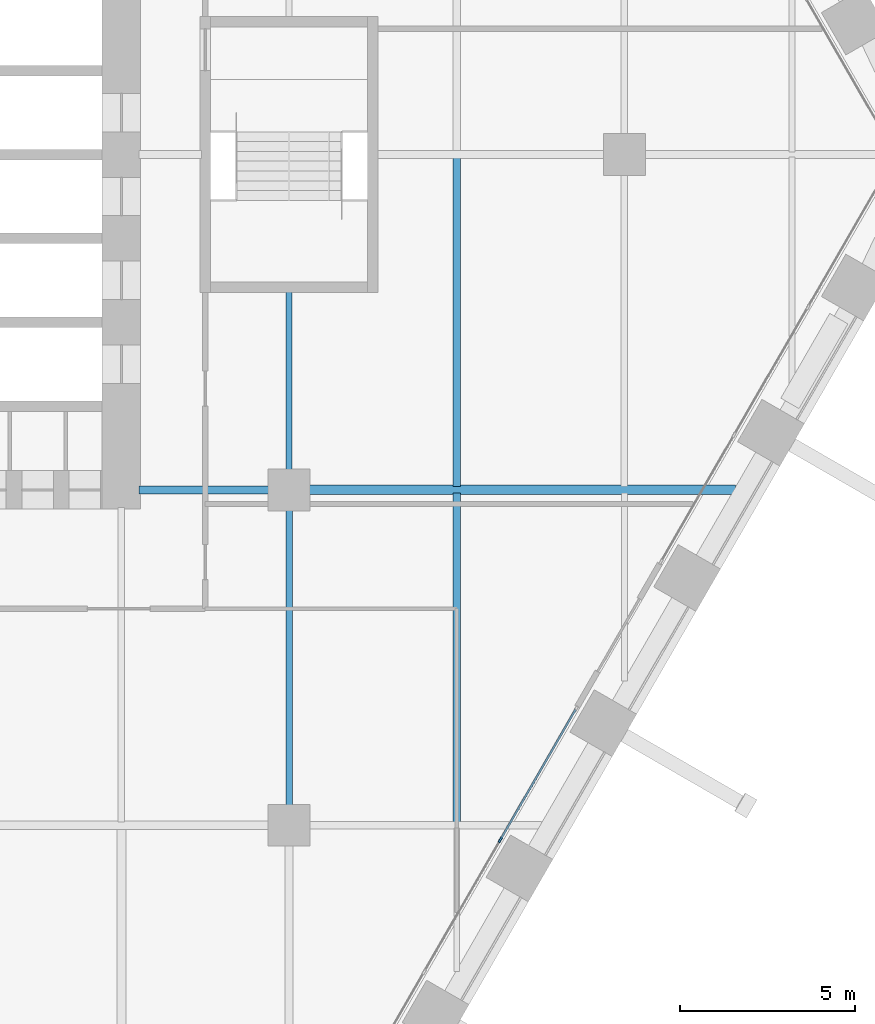
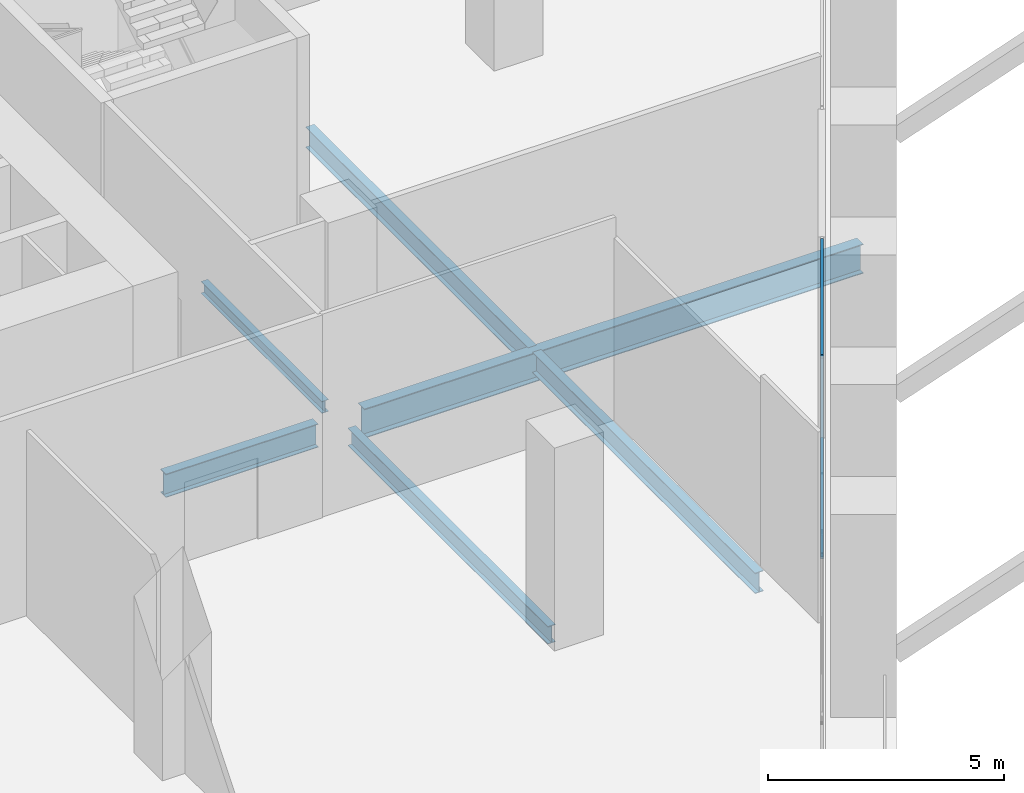
# One storey, part 7 of 29: 6 beams, 3 members, 1 element without a shape of its own.
"""IFC4 building model written with IfcOpenShell, lengths in metres."""

from ifc_helpers import new_model, si_unit, direction, frame, origin, origin_2d, place, context, subcontext, project, spatial, rectangle, i_section, extrude, material, material_profile, profile_set, type_object, element, aggregate, save


model = new_model("IFC4")

# Units and contexts
model_context = context("Model", 3, precision=1e-05, world=origin(), true_north=direction((0.0, 1.0)))
body_context = subcontext(model_context, "Body", "Model", "MODEL_VIEW")
ifc_project = project(units=[si_unit("LENGTHUNIT", "METRE"), si_unit("AREAUNIT", "SQUARE_METRE"), si_unit("VOLUMEUNIT", "CUBIC_METRE"), si_unit("PLANEANGLEUNIT", "RADIAN"), si_unit("MASSUNIT", "GRAM", prefix="KILO")], contexts=[model_context])

# Site, building, storey
site_placement = place(None, origin())
site = spatial("IfcSite", under=ifc_project, at=site_placement, CompositionType="ELEMENT")
building_placement = place(site_placement, origin())
building = spatial("IfcBuilding", under=site, at=building_placement, Name="Kolab Exchange Tower", CompositionType="ELEMENT")
storey_placement = place(building_placement, frame((0.0, 0.0, 55.39990234375)))
storey = spatial("IfcBuildingStorey", under=building, at=storey_placement, Name="L10", CompositionType="ELEMENT", Elevation=55.39990234375)

# Beams
ifc_material_1 = material(Name="Steel S355", Category="steel")
ifc_material_profile_1 = material_profile(ifc_material_1, i_section(OverallWidth=0.1650390625, OverallDepth=0.31005859375, WebThickness=0.005859375, FlangeThickness=0.009765625, at=origin_2d()), Name="W310X39")
ifc_profile_set_1 = profile_set([ifc_material_profile_1], Name="Steel S355")
beam_type_1 = type_object("IfcBeamType", Name="FLOOR BEAM W310X39", PredefinedType="BEAM", material=ifc_profile_set_1)
beam_1_placement = place(storey_placement, frame((19.199951171875, -9.0400390625, -0.40478515625), z_axis=(0.0, 1.0, 0.0), x_axis=(-1.0, 0.0, 0.0)))
element("IfcBeam", 1, at=beam_1_placement, inside=storey, type_object=beam_type_1, Name="beam/L10/fr/048", PredefinedType="BEAM", context=body_context, shape_type="SweptSolid", body=[
    extrude(i_section(OverallWidth=0.1650390625, OverallDepth=0.31005859375, WebThickness=0.005859375, FlangeThickness=0.009765625, at=origin_2d()), origin(), (0.0, 0.0, 1.0), 5.130126953125),
])
ifc_material_profile_2 = material_profile(ifc_material_1, i_section(OverallWidth=0.18994140625, OverallDepth=0.45703125, WebThickness=0.009033203125, FlangeThickness=0.014404296875, at=origin_2d()), Name="W460X74")
ifc_profile_set_2 = profile_set([ifc_material_profile_2], Name="Steel S355")
beam_type_2 = type_object("IfcBeamType", Name="FLOOR BEAM W460X74", PredefinedType="BEAM", material=ifc_profile_set_2)
beam_2_placement = place(storey_placement, frame((19.199951171875, -18.639892578125, -0.478515625), z_axis=(0.0, 1.0, 0.0), x_axis=(-1.0, 0.0, 0.0)))
element("IfcBeam", 2, at=beam_2_placement, inside=storey, type_object=beam_type_2, Name="beam/L10/fr/047", PredefinedType="BEAM", context=body_context, shape_type="SweptSolid", body=[
    extrude(i_section(OverallWidth=0.18994140625, OverallDepth=0.45703125, WebThickness=0.009033203125, FlangeThickness=0.014404296875, at=origin_2d()), origin(), (0.0, 0.0, 1.0), 8.47998046875),
])
ifc_material_profile_3 = material_profile(ifc_material_1, i_section(OverallWidth=0.208984375, OverallDepth=0.532958984375, WebThickness=0.01025390625, FlangeThickness=0.015625, at=origin_2d()), Name="W530X92")
ifc_profile_set_3 = profile_set([ifc_material_profile_3], Name="Steel S355")
beam_type_3 = type_object("IfcBeamType", Name="FLOOR BEAM W530X92", PredefinedType="BEAM", material=ifc_profile_set_3)
beam_3_placement = place(storey_placement, frame((24.0, -19.1259765625, -0.516357421875), z_axis=(0.0, 1.0, 0.0), x_axis=(-1.0, 0.0, 0.0)))
element("IfcBeam", 3, at=beam_3_placement, inside=storey, type_object=beam_type_3, Name="beam/L10/fr/053", PredefinedType="BEAM", context=body_context, shape_type="SweptSolid", body=[
    extrude(i_section(OverallWidth=0.208984375, OverallDepth=0.532958984375, WebThickness=0.01025390625, FlangeThickness=0.015625, at=origin_2d()), origin(), (0.0, 0.0, 1.0), 9.432373046875),
])
beam_4_placement = place(storey_placement, frame((24.0, -9.506591796875, -0.516357421875), z_axis=(0.0, 1.0, 0.0), x_axis=(-1.0, 0.0, 0.0)))
element("IfcBeam", 4, at=beam_4_placement, inside=storey, type_object=beam_type_3, Name="beam/L10/fr/054", PredefinedType="BEAM", context=body_context, shape_type="SweptSolid", body=[
    extrude(i_section(OverallWidth=0.208984375, OverallDepth=0.532958984375, WebThickness=0.01025390625, FlangeThickness=0.015625, at=origin_2d()), origin(), (0.0, 0.0, 1.0), 9.4326171875),
])
ifc_material_profile_4 = material_profile(ifc_material_1, i_section(OverallWidth=0.22802734375, OverallDepth=0.60791015625, WebThickness=0.01123046875, FlangeThickness=0.017333984375, at=origin_2d()), Name="W610X113")
ifc_profile_set_4 = profile_set([ifc_material_profile_4], Name="Steel S355")
beam_type_4 = type_object("IfcBeamType", Name="FLOOR GIRDER W610X113", PredefinedType="BEAM", material=ifc_profile_set_4)
beam_5_placement = place(storey_placement, frame((14.909912109375, -9.60009765625, -0.553955078125), z_axis=(1.0, 0.0, 0.0), x_axis=(0.0, 1.0, 0.0)))
element("IfcBeam", 5, at=beam_5_placement, inside=storey, type_object=beam_type_4, Name="beam/L10/gd/017", PredefinedType="BEAM", context=body_context, shape_type="SweptSolid", body=[
    extrude(i_section(OverallWidth=0.22802734375, OverallDepth=0.60791015625, WebThickness=0.01123046875, FlangeThickness=0.017333984375, at=origin_2d()), origin(), (0.0, 0.0, 1.0), 3.72998046875),
])
ifc_material_profile_5 = material_profile(ifc_material_1, i_section(OverallWidth=0.26708984375, OverallDepth=0.761962890625, WebThickness=0.014404296875, FlangeThickness=0.021484375, at=origin_2d()), Name="W760X173")
ifc_profile_set_5 = profile_set([ifc_material_profile_5], Name="Steel S355")
beam_type_5 = type_object("IfcBeamType", Name="FLOOR GIRDER W760X173", PredefinedType="BEAM", material=ifc_profile_set_5)
beam_6_placement = place(storey_placement, frame((19.760009765625, -9.60009765625, -0.630859375), z_axis=(1.0, 0.0, 0.0), x_axis=(0.0, 1.0, 0.0)))
element("IfcBeam", 6, at=beam_6_placement, inside=storey, type_object=beam_type_5, Name="beam/L10/gd/021", PredefinedType="BEAM", context=body_context, shape_type="SweptSolid", body=[
    extrude(i_section(OverallWidth=0.26708984375, OverallDepth=0.761962890625, WebThickness=0.014404296875, FlangeThickness=0.021484375, at=origin_2d()), origin(), (0.0, 0.0, 1.0), 12.213623046875),
])

# Curtain wall, members
ifc_material_2 = material(Name="Aluminium EN AW-6063 T6", Category="aluminium")
curtain_wall_type = type_object("IfcCurtainWallType", Name="UNITISED LOW ZONE CURTAIN WALL", PredefinedType="NOTDEFINED", material=ifc_material_2)
curtain_wall_placement = place(storey_placement, origin())
curtain_wall = element("IfcCurtainWall", 7, at=curtain_wall_placement, inside=storey, type_object=curtain_wall_type, Name="cw/L10/F3-2", PredefinedType="NOTDEFINED")
ifc_material_profile_6 = material_profile(ifc_material_2, rectangle(XDim=0.06005859375, YDim=0.159912109375, at=origin_2d()), Name="RECT 60X160")
ifc_profile_set_6 = profile_set([ifc_material_profile_6], Name="Aluminium EN AW-6063 T6")
member_type_1 = type_object("IfcMemberType", Name="UNITISED LOW ZONE MULLION 60 X 160", PredefinedType="MULLION", material=ifc_profile_set_6)
member_1_placement = place(storey_placement, frame((25.248291015625, -19.61962890625, 0.0), z_axis=(0.0, 0.0, 1.0), x_axis=(0.866025397318, -0.5000000112, 0.0)))
member_1 = element("IfcMember", 8, at=member_1_placement, type_object=member_type_1, Name="CW1 mullion 2", PredefinedType="MULLION", context=body_context, shape_type="SweptSolid", body=[
    extrude(rectangle(XDim=0.06005859375, YDim=0.159912109375, at=origin_2d()), origin(), (0.0, 0.0, 1.0), 5.2001953125),
])
ifc_material_profile_7 = material_profile(ifc_material_2, rectangle(XDim=0.06005859375, YDim=0.10009765625, at=origin_2d()), Name="RECT 60X100")
ifc_profile_set_7 = profile_set([ifc_material_profile_7], Name="Aluminium EN AW-6063 T6")
member_type_2 = type_object("IfcMemberType", Name="UNITISED LOW ZONE TRANSOM 60 X 100", PredefinedType="USERDEFINED", material=ifc_profile_set_7)
member_2_placement = place(storey_placement, frame((27.401611328125, -15.8896484375, 0.030029296875), z_axis=(-0.499976099074, -0.866039202551, 0.0), x_axis=(0.866039202551, -0.499976099074, 0.0)))
member_2 = element("IfcMember", 9, at=member_2_placement, type_object=member_type_2, Name="CW1 transom 1.1", ObjectType="TRANSOM", PredefinedType="USERDEFINED", context=body_context, shape_type="SweptSolid", body=[
    extrude(rectangle(XDim=0.06005859375, YDim=0.10009765625, at=origin_2d()), origin(), (0.0, 0.0, 1.0), 4.277099609375),
])
member_3_placement = place(storey_placement, frame((27.401611328125, -15.8896484375, 5.170166015625), z_axis=(-0.499976099074, -0.866039202551, 0.0), x_axis=(0.866039202551, -0.499976099074, 0.0)))
member_3 = element("IfcMember", 10, at=member_3_placement, type_object=member_type_2, Name="CW1 transom 1.2", ObjectType="TRANSOM", PredefinedType="USERDEFINED", context=body_context, shape_type="SweptSolid", body=[
    extrude(rectangle(XDim=0.06005859375, YDim=0.10009765625, at=origin_2d()), origin(), (0.0, 0.0, 1.0), 4.277099609375),
])
aggregate(curtain_wall, [member_1, member_2, member_3])

save(model, "model.ifc")
